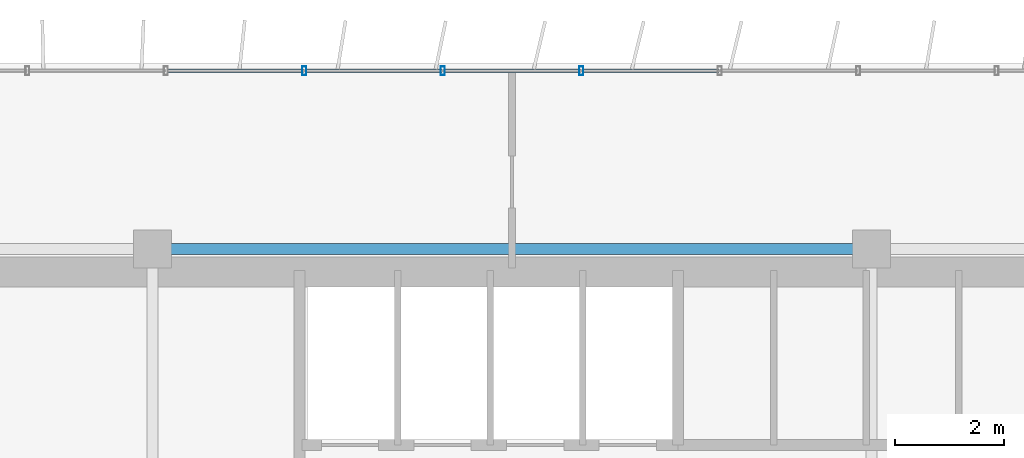
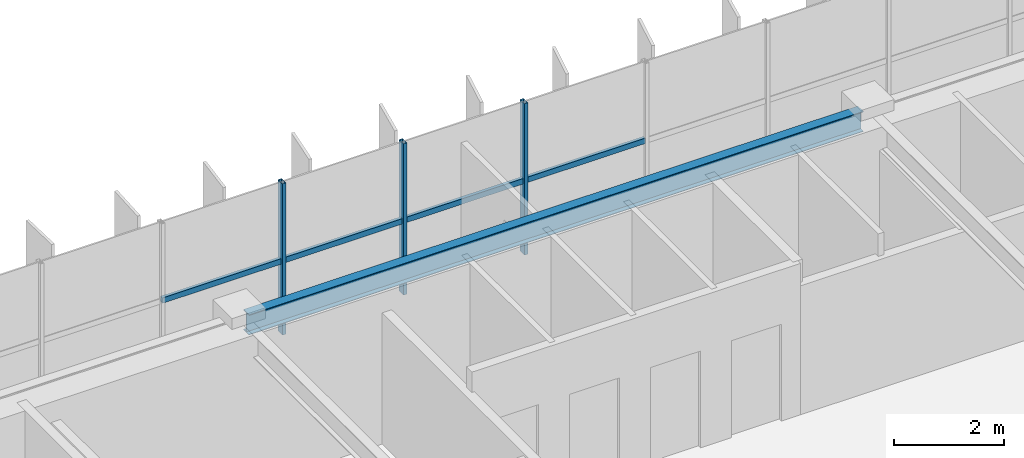
# One storey, part 9 of 23: 7 members, 1 beam, 1 element without a shape of its own.
"""IFC4 building model written with IfcOpenShell, lengths in metres."""

import ifcopenshell
import ifcopenshell.guid

model = None  # the IFC model being written
_history = None  # IfcOwnerHistory: only IFC2X3 demands one
_inside = {}  # id of a spatial element -> (the spatial element, [elements in it])
_under = {}  # id of a project, library or spatial element -> (it, [spatial elements below it])
_declared = {}  # id of a project -> (the project, [libraries it declares])
_typed = {}  # id of a type object -> (the type object, [elements of that type])
_made_of = {}  # id of a material, layer set ... -> (it, [elements and type objects made of it])


def new_model(schema):
    """Start an empty IFC model of exactly this schema.

    Asked for "IFC4X3", IfcOpenShell would pick the latest addendum, in which some entities
    have other attributes; the version numbers below select the first issue.
    IFC2X3 requires an IfcOwnerHistory on every rooted entity: one is made here for all.
    """
    global model, _history
    if schema == "IFC4X3":
        model = ifcopenshell.file(schema_version=(4, 3, 0, 0))
    else:
        model = ifcopenshell.file(schema=schema)
    _inside.clear()
    _under.clear()
    _declared.clear()
    _typed.clear()
    _made_of.clear()
    _history = None
    if model.schema == "IFC2X3":
        org = make("IfcOrganization", Name="unknown")
        user = make(
            "IfcPersonAndOrganization",
            ThePerson=make("IfcPerson", FamilyName="unknown"),
            TheOrganization=org,
        )
        app = make(
            "IfcApplication",
            ApplicationDeveloper=org,
            Version="unknown",
            ApplicationFullName="unknown",
            ApplicationIdentifier="unknown",
        )
        _history = make(
            "IfcOwnerHistory",
            OwningUser=user,
            OwningApplication=app,
            ChangeAction="ADDED",
            CreationDate=0,
        )
    return model


def make(cls, **values):
    """One entity of the class cls with the attributes given. An attribute that is None is left unset."""
    return model.create_entity(
        cls, **{name: value for name, value in values.items() if value is not None}
    )


def rooted(cls, **values):
    """An entity with a GlobalId (a new one), such as an element, a storey or a relation."""
    return make(cls, GlobalId=ifcopenshell.guid.new(), OwnerHistory=_history, **values)


def si_unit(unit_type, name, prefix=None):
    """IfcSIUnit, for example si_unit("LENGTHUNIT", "METRE", prefix="MILLI")."""
    return make("IfcSIUnit", UnitType=unit_type, Prefix=prefix, Name=name)


def assignment(units):
    """IfcUnitAssignment: the units of a project."""
    return None if units is None else make("IfcUnitAssignment", Units=units)


def point(xyz):
    """IfcCartesianPoint."""
    return None if xyz is None else make("IfcCartesianPoint", Coordinates=xyz)


def direction(xyz):
    """IfcDirection."""
    return None if xyz is None else make("IfcDirection", DirectionRatios=xyz)


def frame(location, z_axis=None, x_axis=None):
    """IfcAxis2Placement3D, a coordinate frame: its origin and axes. An axis left out is left unset."""
    return make(
        "IfcAxis2Placement3D",
        Location=point(location),
        Axis=direction(z_axis),
        RefDirection=direction(x_axis),
    )


def frame_2d(location, x_axis=None):
    """IfcAxis2Placement2D, a coordinate frame in the plane: its origin and x axis."""
    return make(
        "IfcAxis2Placement2D", Location=point(location), RefDirection=direction(x_axis)
    )


def origin():
    """The frame at (0, 0, 0) with its axes left unset."""
    return frame((0.0, 0.0, 0.0))


def origin_2d():
    """The frame at (0, 0) in the plane with its x axis left unset."""
    return frame_2d((0.0, 0.0))


def place(relative_to, where):
    """IfcLocalPlacement: puts the frame where relative to a parent placement (None: the world)."""
    return make(
        "IfcLocalPlacement", PlacementRelTo=relative_to, RelativePlacement=where
    )


def context(
    kind, dimensions, precision=None, world=None, true_north=None, identifier=None
):
    """IfcGeometricRepresentationContext, for example the 3D "Model" context."""
    return make(
        "IfcGeometricRepresentationContext",
        ContextIdentifier=identifier,
        ContextType=kind,
        CoordinateSpaceDimension=dimensions,
        Precision=precision,
        WorldCoordinateSystem=world,
        TrueNorth=true_north,
    )


def subcontext(parent, identifier, kind, view, scale=None):
    """IfcGeometricRepresentationSubContext, for example "Body" below "Model"."""
    return make(
        "IfcGeometricRepresentationSubContext",
        ContextIdentifier=identifier,
        ContextType=kind,
        ParentContext=parent,
        TargetScale=scale,
        TargetView=view,
    )


def project(units=None, contexts=None):
    """IfcProject with its units and contexts."""
    return rooted(
        "IfcProject",
        Name="project",
        RepresentationContexts=contexts,
        UnitsInContext=assignment(units),
    )


def spatial(cls, under=None, at=None, **own):
    """A site, building, storey or space (cls), placed at a placement, below another one or the project."""
    s = rooted(cls, ObjectPlacement=at, **own)
    if under is not None:
        _under.setdefault(under.id(), (under, []))[1].append(s)
    return s


def profile(cls, at=None, kind="AREA", **sizes):
    """A parametric profile (cls). Its sizes go by their IFC names, for example OverallWidth=200.0."""
    return make(cls, ProfileType=kind, Position=at, **sizes)


def hollow_rectangle(**sizes):
    """IfcRectangleHollowProfileDef."""
    return profile("IfcRectangleHollowProfileDef", **sizes)


def i_section(**sizes):
    """IfcIShapeProfileDef."""
    return profile("IfcIShapeProfileDef", **sizes)


def extrude(swept, where, along, depth):
    """IfcExtrudedAreaSolid: the profile swept, set in the frame where, extruded along a direction by depth."""
    return make(
        "IfcExtrudedAreaSolid",
        SweptArea=swept,
        Position=where,
        ExtrudedDirection=direction(along),
        Depth=depth,
    )


def shape(context_of_items, identifier, shape_type, items):
    """IfcShapeRepresentation: the items that make up one representation, for example the "Body"."""
    return make(
        "IfcShapeRepresentation",
        ContextOfItems=context_of_items,
        RepresentationIdentifier=identifier,
        RepresentationType=shape_type,
        Items=items,
    )


def source(mapping_origin, context_of_items, identifier, shape_type, items):
    """IfcRepresentationMap: a shape defined once, which mapped items show again and again."""
    return make(
        "IfcRepresentationMap",
        MappingOrigin=mapping_origin,
        MappedRepresentation=shape(context_of_items, identifier, shape_type, items),
    )


def transform(
    local_origin,
    x_axis=None,
    y_axis=None,
    z_axis=None,
    scale=None,
    scale2=None,
    scale3=None,
    uniform=True,
):
    """IfcCartesianTransformationOperator3D, or its non-uniform kind. x_axis, y_axis, z_axis: its Axis1, 2, 3."""
    if uniform:
        return make(
            "IfcCartesianTransformationOperator3D",
            Axis1=direction(x_axis),
            Axis2=direction(y_axis),
            LocalOrigin=point(local_origin),
            Scale=scale,
            Axis3=direction(z_axis),
        )
    return make(
        "IfcCartesianTransformationOperator3DnonUniform",
        Axis1=direction(x_axis),
        Axis2=direction(y_axis),
        LocalOrigin=point(local_origin),
        Scale=scale,
        Axis3=direction(z_axis),
        Scale2=scale2,
        Scale3=scale3,
    )


def mapped(mapping_source, mapping_target):
    """IfcMappedItem: shows the shape of a source again, moved by a transform."""
    return make(
        "IfcMappedItem", MappingSource=mapping_source, MappingTarget=mapping_target
    )


def material(Name=None, Category=None):
    """IfcMaterial."""
    return make("IfcMaterial", Name=Name, Category=Category)


def material_profile(
    of_material, cross_section, Name=None, Category=None, Priority=None
):
    """IfcMaterialProfile: a cross section and its material."""
    return make(
        "IfcMaterialProfile",
        Name=Name,
        Material=of_material,
        Profile=cross_section,
        Priority=Priority,
        Category=Category,
    )


def profile_set(profiles, Name=None, composite=None):
    """IfcMaterialProfileSet."""
    return make(
        "IfcMaterialProfileSet",
        Name=Name,
        MaterialProfiles=profiles,
        CompositeProfile=composite,
    )


def made_of(thing, what):
    """Note that an element or type object is made of a material, layer set ...; save() writes the relation."""
    if what is not None:
        _made_of.setdefault(what.id(), (what, []))[1].append(thing)
    return thing


def type_object(cls, material=None, **own):
    """A type object (cls), such as IfcWallType, which elements share."""
    return made_of(rooted(cls, **own), material)


def element(
    cls,
    number,
    at=None,
    inside=None,
    cuts=None,
    type_object=None,
    material=None,
    context=None,
    identifier="Body",
    shape_type=None,
    held_by="IfcProductDefinitionShape",
    body=None,
    shapes=None,
    **own,
):
    """One element of the class cls, such as IfcWall. Its Tag is "e" and its number.

    at: its placement. inside: the storey or other place that contains it. cuts: it is an
    opening in that element (IfcRelVoidsElement). A single representation is given by context,
    identifier, shape_type and body (its items); several are given by shapes. held_by: the class
    of the entity that holds the representations. save() writes the other relations.
    """
    e = rooted(cls, Tag="e%d" % number, ObjectPlacement=at, **own)
    if body is not None:
        shapes = [shape(context, identifier, shape_type, body)]
    if shapes is not None:
        e.Representation = make(held_by, Representations=shapes)
    if inside is not None:
        _inside.setdefault(inside.id(), (inside, []))[1].append(e)
    if cuts is not None:
        rooted(
            "IfcRelVoidsElement", RelatingBuildingElement=cuts, RelatedOpeningElement=e
        )
    if type_object is not None:
        _typed.setdefault(type_object.id(), (type_object, []))[1].append(e)
    return made_of(e, material)


def aggregate(whole, parts):
    """IfcRelAggregates: a whole, such as a stair, and the parts it consists of."""
    return rooted("IfcRelAggregates", RelatingObject=whole, RelatedObjects=parts)


def save(model, path):
    """Write the relations noted so far, then the file.

    IfcRelAggregates (storeys below a building ...), IfcRelContainedInSpatialStructure (elements
    in a storey), IfcRelDefinesByType, IfcRelAssociatesMaterial and IfcRelDeclares: one each for
    every whole, place, type object, material and project.
    """
    for whole, parts in _under.values():
        aggregate(whole, parts)
    for where, things in _inside.values():
        rooted(
            "IfcRelContainedInSpatialStructure",
            RelatedElements=things,
            RelatingStructure=where,
        )
    for kind, things in _typed.values():
        rooted("IfcRelDefinesByType", RelatedObjects=things, RelatingType=kind)
    for what, things in _made_of.values():
        rooted("IfcRelAssociatesMaterial", RelatedObjects=things, RelatingMaterial=what)
    for by, libraries in _declared.values():
        rooted("IfcRelDeclares", RelatingContext=by, RelatedDefinitions=libraries)
    model.write(path)


model = new_model("IFC4")

# Units and contexts
model_context = context("Model", 3, precision=1e-05, world=origin(), true_north=direction((0.0, 1.0)))
body_context = subcontext(model_context, "Body", "Model", "MODEL_VIEW")
ifc_project = project(units=[si_unit("LENGTHUNIT", "METRE"), si_unit("AREAUNIT", "SQUARE_METRE"), si_unit("VOLUMEUNIT", "CUBIC_METRE"), si_unit("PLANEANGLEUNIT", "RADIAN"), si_unit("MASSUNIT", "GRAM", prefix="KILO")], contexts=[model_context])

# Site, building, storey
site_placement = place(None, origin())
site = spatial("IfcSite", under=ifc_project, at=site_placement, CompositionType="ELEMENT")
building_placement = place(site_placement, origin())
building = spatial("IfcBuilding", under=site, at=building_placement, Name="Trelvane Seafront Commons", CompositionType="ELEMENT")
storey_placement = place(building_placement, frame((0.0, 0.0, 204.89990234375)))
storey = spatial("IfcBuildingStorey", under=building, at=storey_placement, Name="L53", CompositionType="ELEMENT", Elevation=204.89990234375)

# Beam
ifc_material_1 = material(Name="Steel SM355 (S355)", Category="steel")
ifc_material_profile_1 = material_profile(ifc_material_1, i_section(OverallWidth=0.199951171875, OverallDepth=0.449951171875, WebThickness=0.009033203125, FlangeThickness=0.013916015625, at=origin_2d()), Name="H-450x200x9x14")
ifc_profile_set_1 = profile_set([ifc_material_profile_1], Name="Steel SM355 (S355)")
beam_type = type_object("IfcBeamType", Name="STR-SPD-H450", PredefinedType="SPANDREL", material=ifc_profile_set_1)
shared_shape_1 = source(origin(), body_context, "Body", "SweptSolid", [
    extrude(i_section(OverallWidth=0.199951171875, OverallDepth=0.449951171875, WebThickness=0.009033203125, FlangeThickness=0.013916015625, at=origin_2d()), origin(), (0.0, 0.0, 1.0), 12.89990234375),
])
beam_placement = place(storey_placement, frame((30.75, 45.10009765625, 3.135009765625), z_axis=(1.0, 0.0, 0.0), x_axis=(0.0, 1.0, 0.0)))
element("IfcBeam", 1, at=beam_placement, inside=storey, type_object=beam_type, Name="L53 Primary Girder G-25", PredefinedType="SPANDREL", context=body_context, shape_type="MappedRepresentation", body=[
    mapped(shared_shape_1, transform((0.0, 0.0, 0.0), x_axis=(1.0, 0.0, 0.0), y_axis=(0.0, 1.0, 0.0), z_axis=(0.0, 0.0, 1.0), scale=1.0)),
])

# Curtain wall, members
ifc_material_2 = material(Name="Anodised pale-silver aluminium", Category="aluminium")
curtain_wall_type = type_object("IfcCurtainWallType", Name="ARCH-CW5-UPTOWER", PredefinedType="NOTDEFINED", material=ifc_material_2)
curtain_wall_placement = place(storey_placement, origin())
curtain_wall = element("IfcCurtainWall", 2, at=curtain_wall_placement, inside=storey, type_object=curtain_wall_type, Name="CW-L53-0096", PredefinedType="NOTDEFINED")
ifc_material_profile_2 = material_profile(ifc_material_2, hollow_rectangle(XDim=0.070068359375, YDim=0.1201171875, WallThickness=0.00390625, at=origin_2d()), Name="TRAN-70x120x4")
ifc_profile_set_2 = profile_set([ifc_material_profile_2], Name="Anodised pale-silver aluminium")
member_type_1 = type_object("IfcMemberType", Name="ARCH-CW-TRAN-120", PredefinedType="USERDEFINED", material=ifc_profile_set_2)
shared_shape_2 = source(origin(), body_context, "Body", "SweptSolid", [
    extrude(hollow_rectangle(XDim=0.070068359375, YDim=0.1201171875, WallThickness=0.00390625, at=origin_2d()), origin(), (0.0, 0.0, 1.0), 2.51708984375),
])
member_1_placement = place(storey_placement, frame((30.859130859375, 48.3701171875, 1.613037109375), z_axis=(1.0, 0.0, 0.0), x_axis=(0.0, 1.0, 0.0)))
member_1 = element("IfcMember", 3, at=member_1_placement, type_object=member_type_1, Name="CW-L53-0096-T06", ObjectType="TRANSOM", PredefinedType="USERDEFINED", context=body_context, shape_type="MappedRepresentation", body=[
    mapped(shared_shape_2, transform((0.0, 0.0, 0.0), x_axis=(1.0, 0.0, 0.0), y_axis=(0.0, 1.0, 0.0), z_axis=(0.0, 0.0, 1.0), scale=1.0)),
])
member_2_placement = place(storey_placement, frame((35.94140625, 48.3701171875, 1.613037109375), z_axis=(1.0, 0.0, 0.0), x_axis=(0.0, 1.0, 0.0)))
member_2 = element("IfcMember", 4, at=member_2_placement, type_object=member_type_1, Name="CW-L53-0096-T08", ObjectType="TRANSOM", PredefinedType="USERDEFINED", context=body_context, shape_type="MappedRepresentation", body=[
    mapped(shared_shape_2, transform((0.0, 0.0, 0.0), x_axis=(1.0, 0.0, 0.0), y_axis=(0.0, 1.0, 0.0), z_axis=(0.0, 0.0, 1.0), scale=1.0)),
])
member_3_placement = place(storey_placement, frame((38.482666015625, 48.3701171875, 1.613037109375), z_axis=(1.0, 0.0, 0.0), x_axis=(0.0, 1.0, 0.0)))
member_3 = element("IfcMember", 5, at=member_3_placement, type_object=member_type_1, Name="CW-L53-0096-T09", ObjectType="TRANSOM", PredefinedType="USERDEFINED", context=body_context, shape_type="MappedRepresentation", body=[
    mapped(shared_shape_2, transform((0.0, 0.0, 0.0), x_axis=(1.0, 0.0, 0.0), y_axis=(0.0, 1.0, 0.0), z_axis=(0.0, 0.0, 1.0), scale=1.0)),
])
shared_shape_3 = source(origin(), body_context, "Body", "SweptSolid", [
    extrude(hollow_rectangle(XDim=0.070068359375, YDim=0.1201171875, WallThickness=0.00390625, at=origin_2d()), origin(), (0.0, 0.0, 1.0), 2.517333984375),
])
member_4_placement = place(storey_placement, frame((33.400146484375, 48.3701171875, 1.613037109375), z_axis=(1.0, 0.0, 0.0), x_axis=(0.0, 1.0, 0.0)))
member_4 = element("IfcMember", 6, at=member_4_placement, type_object=member_type_1, Name="CW-L53-0096-T07", ObjectType="TRANSOM", PredefinedType="USERDEFINED", context=body_context, shape_type="MappedRepresentation", body=[
    mapped(shared_shape_3, transform((0.0, 0.0, 0.0), x_axis=(1.0, 0.0, 0.0), y_axis=(0.0, 1.0, 0.0), z_axis=(0.0, 0.0, 1.0), scale=1.0)),
])
ifc_material_profile_3 = material_profile(ifc_material_2, hollow_rectangle(XDim=0.074951171875, YDim=0.159912109375, WallThickness=0.00390625, at=origin_2d()), Name="MULL-75x160x4")
ifc_profile_set_3 = profile_set([ifc_material_profile_3], Name="Anodised pale-silver aluminium")
member_type_2 = type_object("IfcMemberType", Name="ARCH-CW-MULL-160", PredefinedType="MULLION", material=ifc_profile_set_3)
shared_shape_4 = source(origin(), body_context, "Body", "SweptSolid", [
    extrude(hollow_rectangle(XDim=0.074951171875, YDim=0.159912109375, WallThickness=0.00390625, at=origin_2d()), origin(), (0.0, 0.0, 1.0), 3.360107421875),
])
member_5_placement = place(storey_placement, frame((33.38818359375, 48.3701171875, 0.0), z_axis=(0.0, 0.0, 1.0), x_axis=(1.0, 0.0, 0.0)))
member_5 = element("IfcMember", 7, at=member_5_placement, type_object=member_type_2, Name="CW-L53-0096-M07", PredefinedType="MULLION", context=body_context, shape_type="MappedRepresentation", body=[
    mapped(shared_shape_4, transform((0.0, 0.0, 0.0), x_axis=(1.0, 0.0, 0.0), y_axis=(0.0, 1.0, 0.0), z_axis=(0.0, 0.0, 1.0), scale=1.0)),
])
member_6_placement = place(storey_placement, frame((35.929443359375, 48.3701171875, 0.0), z_axis=(0.0, 0.0, 1.0), x_axis=(1.0, 0.0, 0.0)))
member_6 = element("IfcMember", 8, at=member_6_placement, type_object=member_type_2, Name="CW-L53-0096-M08", PredefinedType="MULLION", context=body_context, shape_type="MappedRepresentation", body=[
    mapped(shared_shape_4, transform((0.0, 0.0, 0.0), x_axis=(1.0, 0.0, 0.0), y_axis=(0.0, 1.0, 0.0), z_axis=(0.0, 0.0, 1.0), scale=1.0)),
])
member_7_placement = place(storey_placement, frame((38.470703125, 48.3701171875, 0.0), z_axis=(0.0, 0.0, 1.0), x_axis=(1.0, 0.0, 0.0)))
member_7 = element("IfcMember", 9, at=member_7_placement, type_object=member_type_2, Name="CW-L53-0096-M09", PredefinedType="MULLION", context=body_context, shape_type="MappedRepresentation", body=[
    mapped(shared_shape_4, transform((0.0, 0.0, 0.0), x_axis=(1.0, 0.0, 0.0), y_axis=(0.0, 1.0, 0.0), z_axis=(0.0, 0.0, 1.0), scale=1.0)),
])
aggregate(curtain_wall, [member_5, member_6, member_7, member_1, member_4, member_2, member_3])

save(model, "model.ifc")
